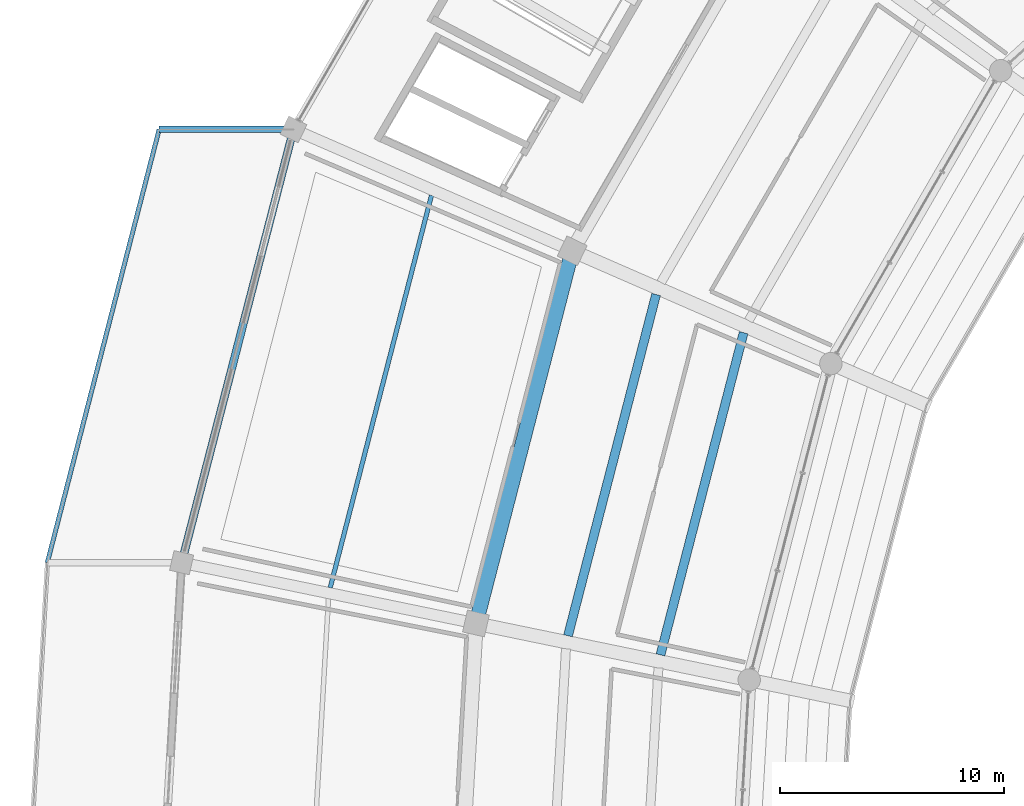
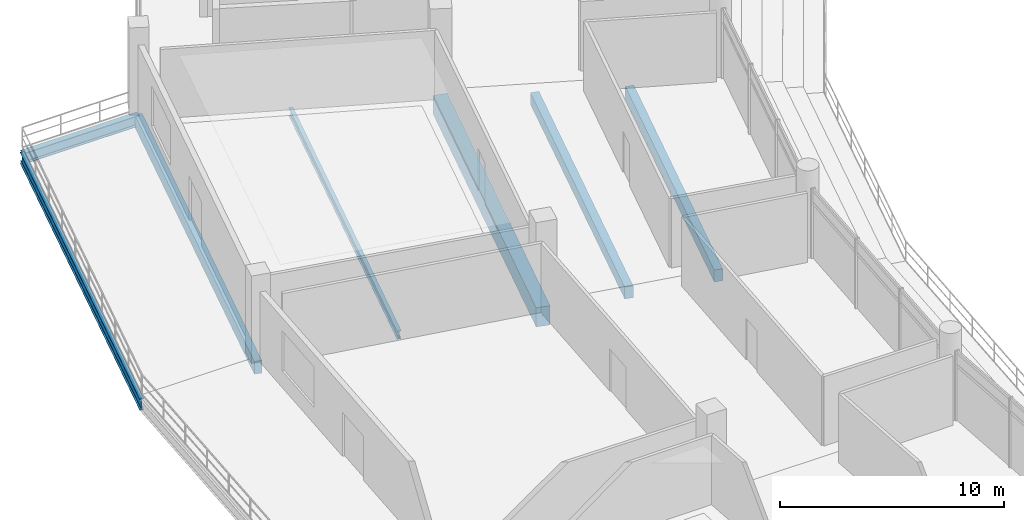
# One storey, part 42 of 171: 7 beams.
"""IFC4 building model written with IfcOpenShell, lengths in metres."""

from ifc_helpers import new_model, si_unit, direction, frame, origin, origin_2d, place, context, subcontext, project, spatial, rectangle, i_section, extrude, material, material_profile, profile_set, type_object, element, save


model = new_model("IFC4")

# Units and contexts
model_context = context("Model", 3, precision=1e-05, world=origin(), true_north=direction((0.0, 1.0)))
body_context = subcontext(model_context, "Body", "Model", "MODEL_VIEW")
ifc_project = project(units=[si_unit("LENGTHUNIT", "METRE"), si_unit("AREAUNIT", "SQUARE_METRE"), si_unit("VOLUMEUNIT", "CUBIC_METRE"), si_unit("PLANEANGLEUNIT", "RADIAN"), si_unit("MASSUNIT", "GRAM", prefix="KILO")], contexts=[model_context])

# Site, building, storey
site_placement = place(None, origin())
site = spatial("IfcSite", under=ifc_project, at=site_placement, CompositionType="ELEMENT")
building_placement = place(site_placement, origin())
building = spatial("IfcBuilding", under=site, at=building_placement, Name="Kazemori Nagisa Stadium", CompositionType="ELEMENT")
storey_placement = place(building_placement, frame((0.0, 0.0, 15.639892578125)))
storey = spatial("IfcBuildingStorey", under=building, at=storey_placement, Name="L03", CompositionType="ELEMENT", Elevation=15.639892578125)

# Beams
ifc_material_1 = material(Name="Steel SN490B", Category="steel")
ifc_material_profile_1 = material_profile(ifc_material_1, i_section(OverallWidth=0.300048828125, OverallDepth=0.587890625, WebThickness=0.011962890625, FlangeThickness=0.02001953125, FilletRadius=0.012939453125, at=origin_2d()), Name="H-588x300x12x20")
ifc_profile_set_1 = profile_set([ifc_material_profile_1], Name="Steel SN490B")
beam_type_1 = type_object("IfcBeamType", Name="Beam_BG-H588", PredefinedType="BEAM", material=ifc_profile_set_1)
beam_1_placement = place(storey_placement, frame((34.114990234375, 140.74951171875, -0.533935546875), z_axis=(-1.0, 0.0, 0.0), x_axis=(0.0, -1.0, 0.0)))
element("IfcBeam", 1, at=beam_1_placement, inside=storey, type_object=beam_type_1, Name="Boulevard radial girder BG-H588 L03 R4-13", PredefinedType="BEAM", context=body_context, shape_type="SweptSolid", body=[
    extrude(i_section(OverallWidth=0.300048828125, OverallDepth=0.587890625, WebThickness=0.011962890625, FlangeThickness=0.02001953125, FilletRadius=0.012939453125, at=origin_2d()), origin(), (0.0, 0.0, 1.0), 6.0),
])
ifc_material_2 = material(Name="Concrete C40/50 (Fc42)", Category="concrete")
ifc_material_profile_2 = material_profile(ifc_material_2, rectangle(XDim=0.64990234375, YDim=1.050048828125, at=origin_2d()), Name="RC-BM-650x1050")
ifc_profile_set_2 = profile_set([ifc_material_profile_2], Name="Concrete C40/50 (Fc42)")
beam_type_2 = type_object("IfcBeamType", Name="Beam_BG-RC650X1050", PredefinedType="BEAM", material=ifc_profile_set_2)
beam_2_placement = place(storey_placement, frame((46.55908203125, 135.32470703125, -0.784912109375), z_axis=(-0.249974673676, -0.968252375427, 0.0), x_axis=(0.968252375427, -0.249974673676, 0.0)))
element("IfcBeam", 2, at=beam_2_placement, inside=storey, type_object=beam_type_2, Name="Ring girder BG-RC650X1050 L03 R2-13", PredefinedType="BEAM", context=body_context, shape_type="SweptSolid", body=[
    extrude(rectangle(XDim=0.64990234375, YDim=1.050048828125, at=origin_2d()), origin(), (0.0, 0.0, 1.0), 17.188232421875),
])
ifc_material_profile_3 = material_profile(ifc_material_1, i_section(OverallWidth=0.199951171875, OverallDepth=0.449951171875, WebThickness=0.009033203125, FlangeThickness=0.013916015625, FilletRadius=0.012939453125, at=origin_2d()), Name="H-450x200x9x14")
ifc_profile_set_3 = profile_set([ifc_material_profile_3], Name="Steel SN490B")
beam_type_3 = type_object("IfcBeamType", Name="Beam_BJ-H450", PredefinedType="JOIST", material=ifc_profile_set_3)
beam_3_placement = place(storey_placement, frame((40.27587890625, 137.7998046875, -0.48486328125), z_axis=(-0.249965739243, -0.968254681995, 0.0), x_axis=(0.968254681995, -0.249965739243, 0.0)))
element("IfcBeam", 3, at=beam_3_placement, inside=storey, type_object=beam_type_3, Name="Outer bay joist BJ-H450 L03 B13", PredefinedType="JOIST", context=body_context, shape_type="SweptSolid", body=[
    extrude(i_section(OverallWidth=0.199951171875, OverallDepth=0.449951171875, WebThickness=0.009033203125, FlangeThickness=0.013916015625, FilletRadius=0.012939453125, at=origin_2d()), origin(), (0.0, 0.0, 1.0), 18.09716796875),
])
ifc_material_profile_4 = material_profile(ifc_material_2, rectangle(XDim=0.39990234375, YDim=0.64990234375, at=origin_2d()), Name="RC-BM-400x650")
ifc_profile_set_4 = profile_set([ifc_material_profile_4], Name="Concrete C40/50 (Fc42)")
beam_type_4 = type_object("IfcBeamType", Name="Beam_BJ-RC400X650", PredefinedType="JOIST", material=ifc_profile_set_4)
beam_4_placement = place(storey_placement, frame((54.21826171875, 131.667724609375, -0.5849609375), z_axis=(-0.24996646764, -0.968254493951, 0.0), x_axis=(0.968254493951, -0.24996646764, 0.0)))
element("IfcBeam", 4, at=beam_4_placement, inside=storey, type_object=beam_type_4, Name="Concourse joist BJ-RC400X650 L03 B13-1", PredefinedType="JOIST", context=body_context, shape_type="SweptSolid", body=[
    extrude(rectangle(XDim=0.39990234375, YDim=0.64990234375, at=origin_2d()), origin(), (0.0, 0.0, 1.0), 14.859375),
])
beam_5_placement = place(storey_placement, frame((50.307373046875, 133.372802734375, -0.5849609375), z_axis=(-0.24997419154, -0.968252499901, 0.0), x_axis=(0.968252499901, -0.24997419154, 0.0)))
element("IfcBeam", 5, at=beam_5_placement, inside=storey, type_object=beam_type_4, Name="Concourse joist BJ-RC400X650 L03 B13-2", PredefinedType="JOIST", context=body_context, shape_type="SweptSolid", body=[
    extrude(rectangle(XDim=0.39990234375, YDim=0.64990234375, at=origin_2d()), origin(), (0.0, 0.0, 1.0), 15.739013671875),
])
ifc_material_profile_5 = material_profile(ifc_material_1, i_section(OverallWidth=0.199951171875, OverallDepth=0.60009765625, WebThickness=0.010986328125, FlangeThickness=0.01708984375, FilletRadius=0.012939453125, at=origin_2d()), Name="H-600x200x11x17")
ifc_profile_set_5 = profile_set([ifc_material_profile_5], Name="Steel SN490B")
beam_type_5 = type_object("IfcBeamType", Name="Beam_BS-H600", PredefinedType="SPANDREL", material=ifc_profile_set_5)
beam_6_placement = place(storey_placement, frame((28.114990234375, 140.74951171875, -0.533935546875), z_axis=(-0.249964097999, -0.968255105699, 0.0), x_axis=(0.968255105699, -0.249964097999, 0.0)))
element("IfcBeam", 6, at=beam_6_placement, inside=storey, type_object=beam_type_5, Name="Boulevard edge beam BS-H600 L03 R4-13", PredefinedType="SPANDREL", context=body_context, shape_type="SweptSolid", body=[
    extrude(i_section(OverallWidth=0.199951171875, OverallDepth=0.60009765625, WebThickness=0.010986328125, FlangeThickness=0.01708984375, FilletRadius=0.012939453125, at=origin_2d()), origin(), (0.0, 0.0, 1.0), 19.986328125),
])
ifc_material_profile_6 = material_profile(ifc_material_2, rectangle(XDim=0.35009765625, YDim=0.699951171875, at=origin_2d()), Name="RC-SP-350x700")
ifc_profile_set_6 = profile_set([ifc_material_profile_6], Name="Concrete C40/50 (Fc42)")
beam_type_6 = type_object("IfcBeamType", Name="Beam_BS-RC350X700", PredefinedType="SPANDREL", material=ifc_profile_set_6)
beam_7_placement = place(storey_placement, frame((34.114990234375, 140.74951171875, -0.60986328125), z_axis=(-0.249964097999, -0.968255105699, 0.0), x_axis=(0.968255105699, -0.249964097999, 0.0)))
element("IfcBeam", 7, at=beam_7_placement, inside=storey, type_object=beam_type_6, Name="Ring girder BS-RC350X700 L03 R3-13", PredefinedType="SPANDREL", context=body_context, shape_type="SweptSolid", body=[
    extrude(rectangle(XDim=0.35009765625, YDim=0.699951171875, at=origin_2d()), origin(), (0.0, 0.0, 1.0), 19.986328125),
])

save(model, "model.ifc")
